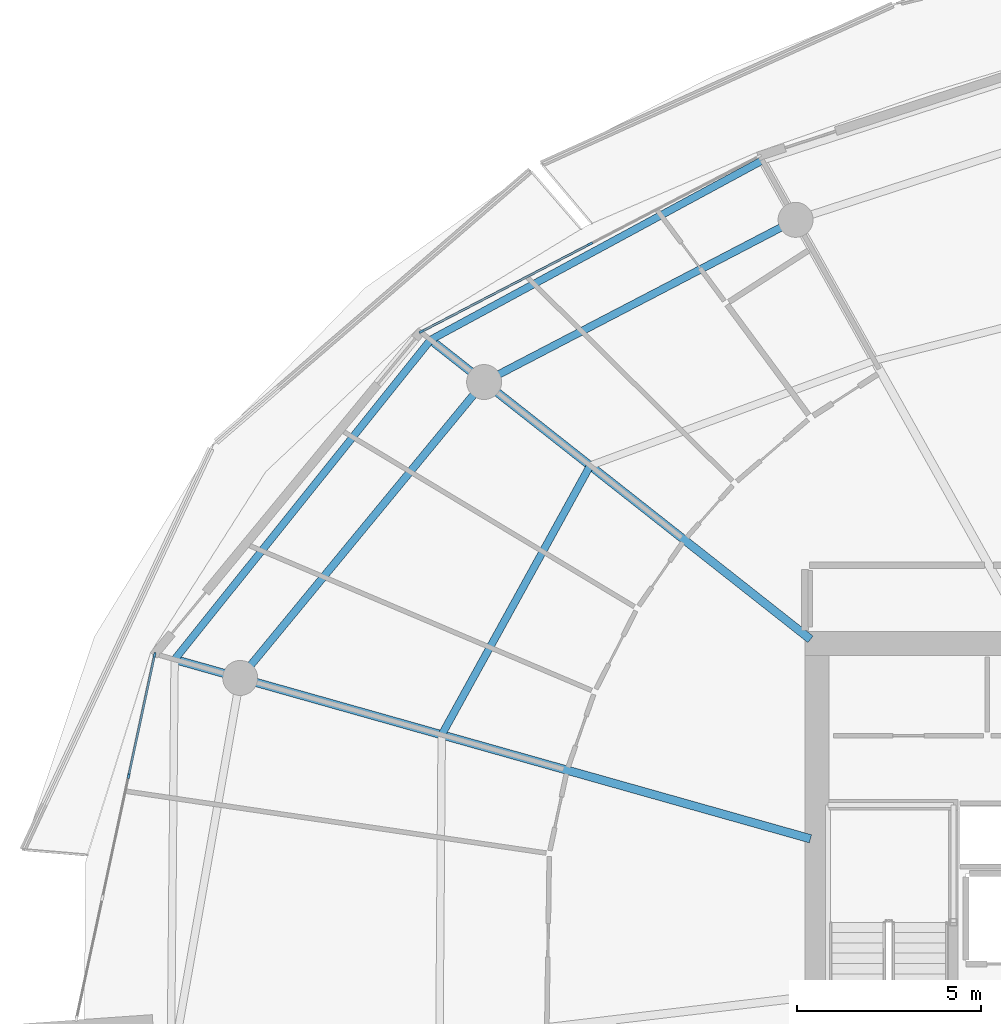
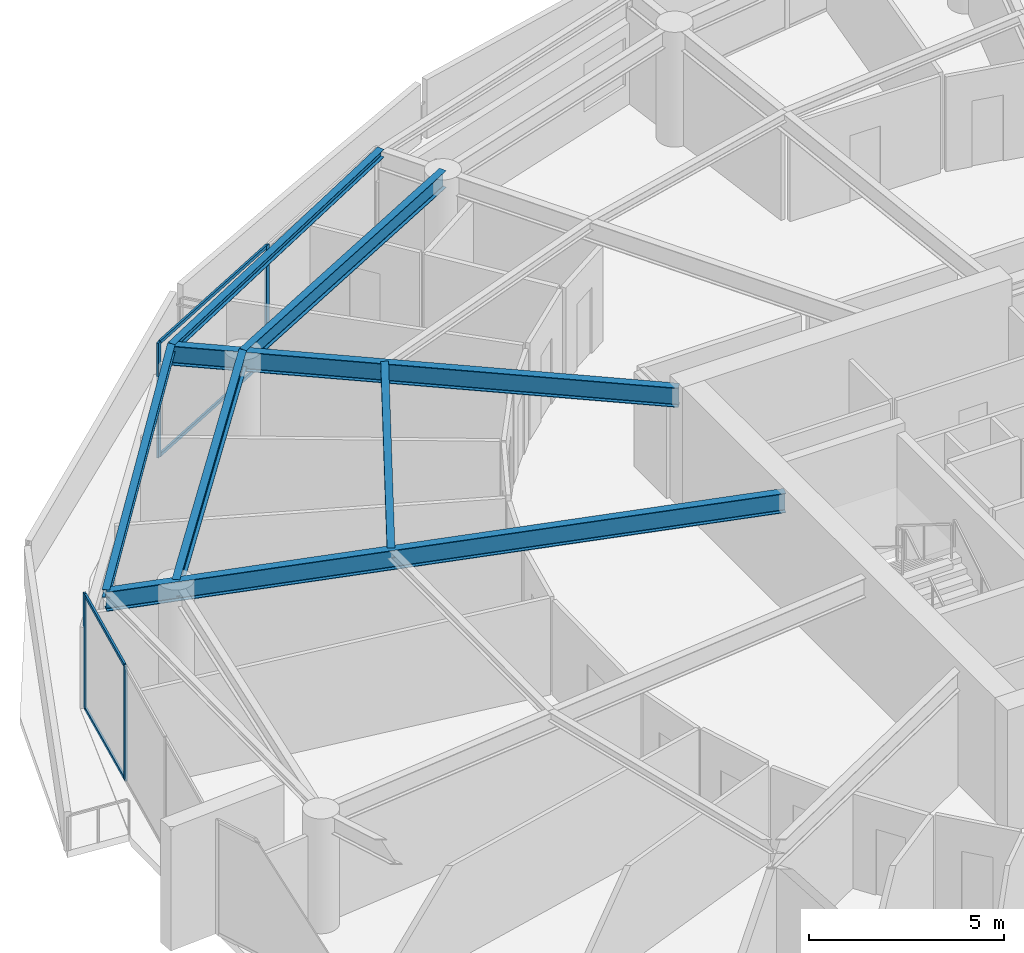
# One storey, part 12 of 31: 8 members, 7 beams, 2 elements without a shape of their own.
"""IFC4 building model written with IfcOpenShell, lengths in metres."""

from ifc_helpers import new_model, si_unit, direction, frame, origin, origin_2d, place, context, subcontext, project, spatial, rectangle, i_section, extrude, material, layer, layer_set, material_profile, profile_set, type_object, element, aggregate, save


model = new_model("IFC4")

# Units and contexts
model_context = context("Model", 3, precision=1e-05, world=origin(), true_north=direction((0.0, 1.0)))
body_context = subcontext(model_context, "Body", "Model", "MODEL_VIEW")
ifc_project = project(units=[si_unit("LENGTHUNIT", "METRE"), si_unit("AREAUNIT", "SQUARE_METRE"), si_unit("VOLUMEUNIT", "CUBIC_METRE"), si_unit("PLANEANGLEUNIT", "RADIAN"), si_unit("MASSUNIT", "GRAM", prefix="KILO")], contexts=[model_context])

# Site, building, storey
site_placement = place(None, origin())
site = spatial("IfcSite", under=ifc_project, at=site_placement, CompositionType="ELEMENT")
building_placement = place(site_placement, origin())
building = spatial("IfcBuilding", under=site, at=building_placement, Name="Kazma Halo Residences", CompositionType="ELEMENT")
storey_placement = place(building_placement, frame((0.0, 0.0, 248.25)))
storey = spatial("IfcBuildingStorey", under=building, at=storey_placement, Name="L62", CompositionType="ELEMENT", Elevation=248.25)

# Beams
ifc_material_1 = material(Name="Steel S355", Category="steel")
ifc_material_profile_1 = material_profile(ifc_material_1, i_section(OverallWidth=0.201904296875, OverallDepth=0.2470703125, WebThickness=0.00732421875, FlangeThickness=0.010986328125, FilletRadius=0.011962890625, at=origin_2d()), Name="W250x49.1")
ifc_profile_set_1 = profile_set([ifc_material_profile_1], Name="Steel S355")
beam_type_1 = type_object("IfcBeamType", Name="BM-BAL-CANT", PredefinedType="BEAM", material=ifc_profile_set_1)
beam_1_placement = place(storey_placement, frame((35.990478515625, 63.444580078125, 3.466552734375), z_axis=(-0.879517282036, -0.475866946321, 0.0), x_axis=(0.475866946321, -0.879517282036, 0.0)))
element("IfcBeam", 1, at=beam_1_placement, inside=storey, type_object=beam_type_1, Name="L62 wave-balcony tie beam 05", PredefinedType="BEAM", context=body_context, shape_type="SweptSolid", body=[
    extrude(i_section(OverallWidth=0.201904296875, OverallDepth=0.2470703125, WebThickness=0.00732421875, FlangeThickness=0.010986328125, FilletRadius=0.011962890625, at=origin_2d()), origin(), (0.0, 0.0, 1.0), 10.243408203125),
])
beam_2_placement = place(storey_placement, frame((26.981201171875, 58.570068359375, 3.466552734375), z_axis=(-0.625117912406, -0.780530329705, 0.0), x_axis=(0.780530329705, -0.625117912406, 0.0)))
element("IfcBeam", 2, at=beam_2_placement, inside=storey, type_object=beam_type_1, Name="L62 wave-balcony tie beam 06", PredefinedType="BEAM", context=body_context, shape_type="SweptSolid", body=[
    extrude(i_section(OverallWidth=0.201904296875, OverallDepth=0.2470703125, WebThickness=0.00732421875, FlangeThickness=0.010986328125, FilletRadius=0.011962890625, at=origin_2d()), origin(), (0.0, 0.0, 1.0), 11.1220703125),
])
ifc_material_profile_2 = material_profile(ifc_material_1, i_section(OverallWidth=0.22802734375, OverallDepth=0.60791015625, WebThickness=0.01123046875, FlangeThickness=0.017333984375, FilletRadius=0.01806640625, at=origin_2d()), Name="W610x113")
ifc_profile_set_2 = profile_set([ifc_material_profile_2], Name="Steel S355")
beam_type_2 = type_object("IfcBeamType", Name="BM-RAD-W610", PredefinedType="BEAM", material=ifc_profile_set_2)
beam_3_placement = place(storey_placement, frame((37.300048828125, 50.435302734375, 3.285888671875), z_axis=(-0.785315374811, 0.61909592317, 0.0), x_axis=(-0.61909592317, -0.785315374811, 0.0)))
element("IfcBeam", 3, at=beam_3_placement, inside=storey, type_object=beam_type_2, Name="L62 radial floor beam 06", PredefinedType="BEAM", context=body_context, shape_type="SweptSolid", body=[
    extrude(i_section(OverallWidth=0.22802734375, OverallDepth=0.60791015625, WebThickness=0.01123046875, FlangeThickness=0.017333984375, FilletRadius=0.01806640625, at=origin_2d()), origin(), (0.0, 0.0, 1.0), 13.1396484375),
])
beam_4_placement = place(storey_placement, frame((37.300048828125, 45.017578125, 3.285888671875), z_axis=(-0.962451225349, 0.271454671766, 0.0), x_axis=(-0.271454671766, -0.962451225349, 0.0)))
element("IfcBeam", 4, at=beam_4_placement, inside=storey, type_object=beam_type_2, Name="L62 radial floor beam 07", PredefinedType="BEAM", context=body_context, shape_type="SweptSolid", body=[
    extrude(i_section(OverallWidth=0.22802734375, OverallDepth=0.60791015625, WebThickness=0.01123046875, FlangeThickness=0.017333984375, FilletRadius=0.01806640625, at=origin_2d()), origin(), (0.0, 0.0, 1.0), 17.9453125),
])
ifc_material_profile_3 = material_profile(ifc_material_1, i_section(OverallWidth=0.202880859375, OverallDepth=0.302978515625, WebThickness=0.007568359375, FlangeThickness=0.01318359375, FilletRadius=0.013916015625, at=origin_2d()), Name="W310x60")
ifc_profile_set_3 = profile_set([ifc_material_profile_3], Name="Steel S355")
beam_type_3 = type_object("IfcBeamType", Name="BM-SEC-W310A", PredefinedType="JOIST", material=ifc_profile_set_3)
beam_5_placement = place(storey_placement, frame((31.31494140625, 55.1533203125, 3.4384765625), z_axis=(-0.483003900912, -0.875618199733, 0.0), x_axis=(0.875618199733, -0.483003900912, 0.0)))
element("IfcBeam", 5, at=beam_5_placement, inside=storey, type_object=beam_type_3, Name="L62 circumferential floor joist 06", PredefinedType="JOIST", context=body_context, shape_type="SweptSolid", body=[
    extrude(i_section(OverallWidth=0.202880859375, OverallDepth=0.302978515625, WebThickness=0.007568359375, FlangeThickness=0.01318359375, FilletRadius=0.013916015625, at=origin_2d()), origin(), (0.0, 0.0, 1.0), 8.3486328125),
])
ifc_material_profile_4 = material_profile(ifc_material_1, i_section(OverallWidth=0.208984375, OverallDepth=0.532958984375, WebThickness=0.01025390625, FlangeThickness=0.015625, FilletRadius=0.01611328125, at=origin_2d()), Name="W530x92")
ifc_profile_set_4 = profile_set([ifc_material_profile_4], Name="Steel S355")
beam_type_4 = type_object("IfcBeamType", Name="BM-SPN-W530", PredefinedType="BEAM", material=ifc_profile_set_4)
beam_6_placement = place(storey_placement, frame((36.89453125, 61.830322265625, 3.323486328125), z_axis=(-0.886961047115, -0.461844238788, 0.0), x_axis=(0.461844238788, -0.886961047115, 0.0)))
element("IfcBeam", 6, at=beam_6_placement, inside=storey, type_object=beam_type_4, Name="L62 perimeter ring beam 05", PredefinedType="BEAM", context=body_context, shape_type="SweptSolid", body=[
    extrude(i_section(OverallWidth=0.208984375, OverallDepth=0.532958984375, WebThickness=0.01025390625, FlangeThickness=0.015625, FilletRadius=0.01611328125, at=origin_2d()), origin(), (0.0, 0.0, 1.0), 9.5390625),
])
beam_7_placement = place(storey_placement, frame((28.433837890625, 57.4248046875, 3.323486328125), z_axis=(-0.636002144225, -0.771687289348, 0.0), x_axis=(0.771687289348, -0.636002144225, 0.0)))
element("IfcBeam", 7, at=beam_7_placement, inside=storey, type_object=beam_type_4, Name="L62 perimeter ring beam 06", PredefinedType="BEAM", context=body_context, shape_type="SweptSolid", body=[
    extrude(i_section(OverallWidth=0.208984375, OverallDepth=0.532958984375, WebThickness=0.01025390625, FlangeThickness=0.015625, FilletRadius=0.01611328125, at=origin_2d()), origin(), (0.0, 0.0, 1.0), 10.416259765625),
])

# Curtain wall, members
ifc_material_2 = material(Name="Aluminium AW-6063 T6 and Triple-Silver Low-E Glass", Category="aluminium")
ifc_layer = layer(ifc_material_2, 0.139892578125)
ifc_layer_set = layer_set([ifc_layer], Name="Aluminium AW-6063 T6 and Triple-Silver Low-E Glass")
curtain_wall_type = type_object("IfcCurtainWallType", Name="CW-SYS-5", PredefinedType="NOTDEFINED", material=ifc_layer_set)
curtain_wall_1_placement = place(storey_placement, origin())
curtain_wall_1 = element("IfcCurtainWall", 8, at=curtain_wall_1_placement, inside=storey, type_object=curtain_wall_type, Name="L62 unitised curtain wall B05", PredefinedType="NOTDEFINED")
ifc_material_3 = material(Name="Aluminium AW-6063 T6", Category="aluminium")
ifc_material_profile_5 = material_profile(ifc_material_3, rectangle(XDim=0.06005859375, YDim=0.139892578125, at=origin_2d()), Name="CWM-60x140")
ifc_profile_set_5 = profile_set([ifc_material_profile_5], Name="Aluminium AW-6063 T6")
member_type_1 = type_object("IfcMemberType", Name="CW-SYS-5-MUL", PredefinedType="MULLION", material=ifc_profile_set_5)
member_1_placement = place(storey_placement, frame((31.31591796875, 61.175537109375, 0.0), z_axis=(0.0, 0.0, 1.0), x_axis=(0.460960760804, -0.887420518694, 0.0)))
member_1 = element("IfcMember", 9, at=member_1_placement, type_object=member_type_1, Name="CWS-5 mullion 2", PredefinedType="MULLION", context=body_context, shape_type="SweptSolid", body=[
    extrude(rectangle(XDim=0.06005859375, YDim=0.139892578125, at=origin_2d()), origin(), (0.0, 0.0, 1.0), 3.590087890625),
])
member_2_placement = place(storey_placement, frame((26.737060546875, 58.797119140625, 0.0), z_axis=(0.0, 0.0, 1.0), x_axis=(0.460960760804, -0.887420518694, 0.0)))
member_2 = element("IfcMember", 10, at=member_2_placement, type_object=member_type_1, Name="CWS-5 mullion 3", PredefinedType="MULLION", context=body_context, shape_type="SweptSolid", body=[
    extrude(rectangle(XDim=0.06005859375, YDim=0.139892578125, at=origin_2d()), origin(), (0.0, 0.0, 1.0), 3.590087890625),
])

curtain_wall_2_placement = place(storey_placement, origin())
curtain_wall_2 = element("IfcCurtainWall", 11, at=curtain_wall_2_placement, inside=storey, type_object=curtain_wall_type, Name="L62 unitised curtain wall B07", PredefinedType="NOTDEFINED")
member_3_placement = place(storey_placement, frame((19.485107421875, 50.010986328125, 0.0), z_axis=(0.0, 0.0, 1.0), x_axis=(0.97777491373, -0.209657382603, 0.0)))
member_3 = element("IfcMember", 12, at=member_3_placement, type_object=member_type_1, Name="CWS-5 mullion 1", PredefinedType="MULLION", context=body_context, shape_type="SweptSolid", body=[
    extrude(rectangle(XDim=0.06005859375, YDim=0.139892578125, at=origin_2d()), origin(), (0.0, 0.0, 1.0), 3.590087890625),
])
member_4_placement = place(storey_placement, frame((18.781005859375, 46.7265625, 0.0), z_axis=(0.0, 0.0, 1.0), x_axis=(0.97777491373, -0.209657382603, 0.0)))
member_4 = element("IfcMember", 13, at=member_4_placement, type_object=member_type_1, Name="CWS-5 mullion 2", PredefinedType="MULLION", context=body_context, shape_type="SweptSolid", body=[
    extrude(rectangle(XDim=0.06005859375, YDim=0.139892578125, at=origin_2d()), origin(), (0.0, 0.0, 1.0), 3.590087890625),
])

# Member
ifc_material_profile_6 = material_profile(ifc_material_3, rectangle(XDim=0.06005859375, YDim=0.10498046875, at=origin_2d()), Name="CWT-60x105")
ifc_profile_set_6 = profile_set([ifc_material_profile_6], Name="Aluminium AW-6063 T6")
member_type_2 = type_object("IfcMemberType", Name="CW-SYS-5-TRN", PredefinedType="USERDEFINED", material=ifc_profile_set_6)
member_5_placement = place(storey_placement, frame((31.289306640625, 61.16162109375, 0.030029296875), z_axis=(-0.887436955863, -0.46092911534, 0.0), x_axis=(0.46092911534, -0.887436955863, 0.0)))
member_5 = element("IfcMember", 14, at=member_5_placement, type_object=member_type_2, Name="CWS-5 transom 2.1", ObjectType="TRANSOM", PredefinedType="USERDEFINED", context=body_context, shape_type="SweptSolid", body=[
    extrude(rectangle(XDim=0.06005859375, YDim=0.10498046875, at=origin_2d()), origin(), (0.0, 0.0, 1.0), 5.099609375),
])

member_6_placement = place(storey_placement, frame((31.289306640625, 61.16162109375, 3.56005859375), z_axis=(-0.887436955863, -0.46092911534, 0.0), x_axis=(0.46092911534, -0.887436955863, 0.0)))
member_6 = element("IfcMember", 15, at=member_6_placement, type_object=member_type_2, Name="CWS-5 transom 2.2", ObjectType="TRANSOM", PredefinedType="USERDEFINED", context=body_context, shape_type="SweptSolid", body=[
    extrude(rectangle(XDim=0.06005859375, YDim=0.10498046875, at=origin_2d()), origin(), (0.0, 0.0, 1.0), 5.099609375),
])

aggregate(curtain_wall_1, [member_1, member_2, member_5, member_6])

member_7_placement = place(storey_placement, frame((19.47900390625, 49.9814453125, 0.030029296875), z_axis=(-0.209660493552, -0.977774246666, 0.0), x_axis=(0.977774246666, -0.209660493552, 0.0)))
member_7 = element("IfcMember", 16, at=member_7_placement, type_object=member_type_2, Name="CWS-5 transom 1.1", ObjectType="TRANSOM", PredefinedType="USERDEFINED", context=body_context, shape_type="SweptSolid", body=[
    extrude(rectangle(XDim=0.06005859375, YDim=0.10498046875, at=origin_2d()), origin(), (0.0, 0.0, 1.0), 3.298828125),
])

member_8_placement = place(storey_placement, frame((19.47900390625, 49.9814453125, 3.56005859375), z_axis=(-0.209660493552, -0.977774246666, 0.0), x_axis=(0.977774246666, -0.209660493552, 0.0)))
member_8 = element("IfcMember", 17, at=member_8_placement, type_object=member_type_2, Name="CWS-5 transom 1.2", ObjectType="TRANSOM", PredefinedType="USERDEFINED", context=body_context, shape_type="SweptSolid", body=[
    extrude(rectangle(XDim=0.06005859375, YDim=0.10498046875, at=origin_2d()), origin(), (0.0, 0.0, 1.0), 3.298828125),
])

aggregate(curtain_wall_2, [member_3, member_4, member_7, member_8])

save(model, "model.ifc")
